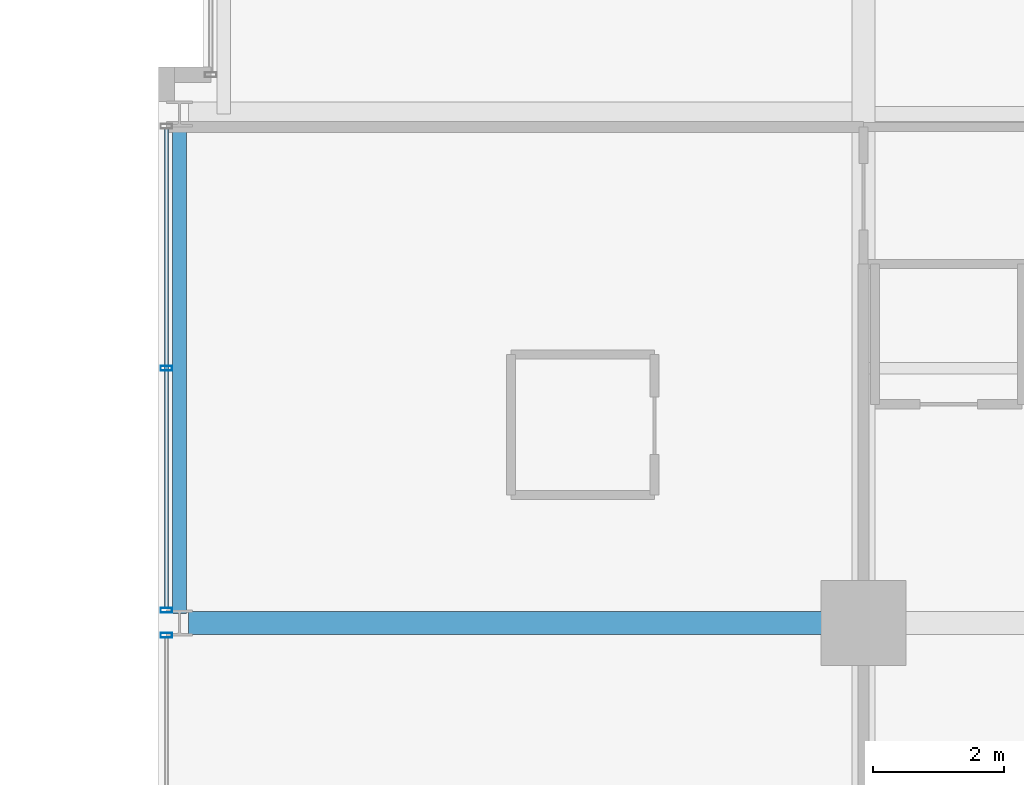
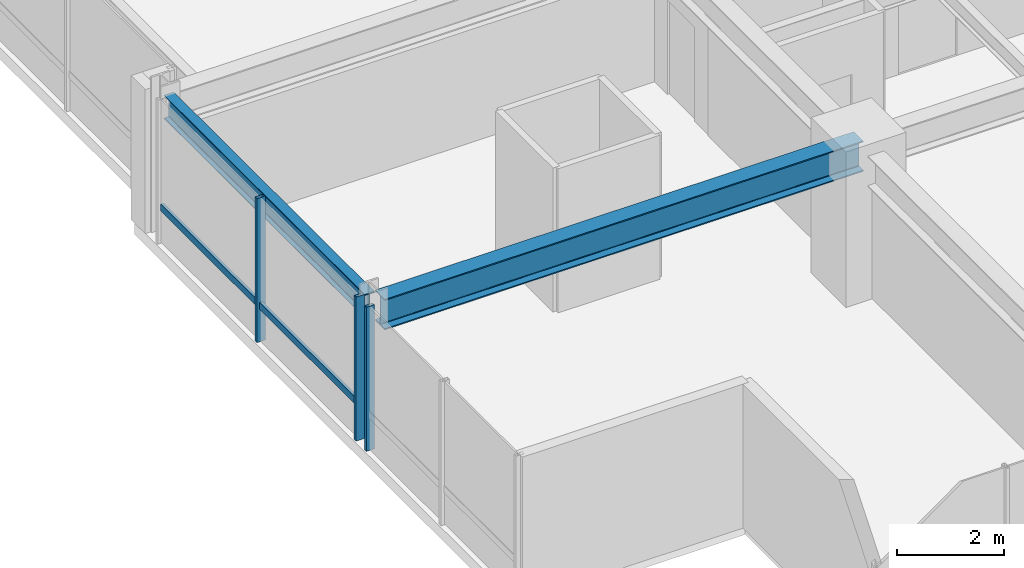
# One storey, part 4 of 31: 4 members, 2 beams, 2 elements without a shape of their own.
"""IFC4 building model written with IfcOpenShell, lengths in metres."""

from ifc_helpers import new_model, si_unit, direction, frame, origin, origin_2d, place, context, subcontext, project, spatial, hollow_rectangle, i_section, extrude, material, layer, layer_set, material_profile, profile_set, type_object, element, aggregate, save


model = new_model("IFC4")

# Units and contexts
model_context = context("Model", 3, precision=1e-05, world=origin(), true_north=direction((0.0, 1.0)))
body_context = subcontext(model_context, "Body", "Model", "MODEL_VIEW")
ifc_project = project(units=[si_unit("LENGTHUNIT", "METRE"), si_unit("AREAUNIT", "SQUARE_METRE"), si_unit("VOLUMEUNIT", "CUBIC_METRE"), si_unit("PLANEANGLEUNIT", "RADIAN"), si_unit("MASSUNIT", "GRAM", prefix="KILO")], contexts=[model_context])

# Site, building, storey
site_placement = place(None, origin())
site = spatial("IfcSite", under=ifc_project, at=site_placement, CompositionType="ELEMENT")
building_placement = place(site_placement, origin())
building = spatial("IfcBuilding", under=site, at=building_placement, Name="Drelvath Grand Hotel", CompositionType="ELEMENT")
storey_placement = place(building_placement, frame((0.0, 0.0, 185.89990234375)))
storey = spatial("IfcBuildingStorey", under=building, at=storey_placement, Name="L48", CompositionType="ELEMENT", Elevation=185.89990234375)

# Curtain wall, member
ifc_material_1 = material(Name="Brushed Pale-Silver Anodised Aluminium Frame", Category="aluminium")
ifc_layer = layer(ifc_material_1, 0.199951171875)
ifc_layer_set = layer_set([ifc_layer], Name="Brushed Pale-Silver Anodised Aluminium Frame")
curtain_wall_type = type_object("IfcCurtainWallType", Name="Stick Curtain Wall CW-04 Brushed Silver Upper-Mid", PredefinedType="NOTDEFINED", material=ifc_layer_set)
curtain_wall_1_placement = place(storey_placement, origin())
curtain_wall_1 = element("IfcCurtainWall", 1, at=curtain_wall_1_placement, inside=storey, type_object=curtain_wall_type, Name="L48 CW-04 Curtain Wall CW04-L48-WS2", PredefinedType="NOTDEFINED")
ifc_material_profile_1 = material_profile(ifc_material_1, hollow_rectangle(XDim=0.06494140625, YDim=0.159912109375, WallThickness=0.00390625, at=origin_2d()), Name="HSS160X65X4")
ifc_profile_set_1 = profile_set([ifc_material_profile_1], Name="Brushed Pale-Silver Anodised Aluminium Frame")
member_type_1 = type_object("IfcMemberType", Name="Curtain Wall Horizontal Transom CW-04 HSS160X65X4", PredefinedType="USERDEFINED", material=ifc_profile_set_1)
member_1_placement = place(storey_placement, frame((-26.8798828125, 11.03173828125, 0.822509765625), z_axis=(0.0, 1.0, 0.0), x_axis=(-1.0, 0.0, 0.0)))
member_1 = element("IfcMember", 2, at=member_1_placement, type_object=member_type_1, Name="CW04-L48-WS2 Sill Transom", ObjectType="TRANSOM", PredefinedType="USERDEFINED", context=body_context, shape_type="SweptSolid", body=[
    extrude(hollow_rectangle(XDim=0.06494140625, YDim=0.159912109375, WallThickness=0.00390625, at=origin_2d()), origin(), (0.0, 0.0, 1.0), 7.336669921875),
])

curtain_wall_2_placement = place(storey_placement, origin())
curtain_wall_2 = element("IfcCurtainWall", 3, at=curtain_wall_2_placement, inside=storey, type_object=curtain_wall_type, Name="L48 CW-04 Curtain Wall CW04-L48-WS1", PredefinedType="NOTDEFINED")
ifc_material_profile_2 = material_profile(ifc_material_1, hollow_rectangle(XDim=0.074951171875, YDim=0.179931640625, WallThickness=0.0048828125, at=origin_2d()), Name="HSS180X75X5")
ifc_profile_set_2 = profile_set([ifc_material_profile_2], Name="Brushed Pale-Silver Anodised Aluminium Frame")
member_type_2 = type_object("IfcMemberType", Name="Curtain Wall Vertical Mullion CW-04 HSS180X75X5", PredefinedType="MULLION", material=ifc_profile_set_2)
member_2_placement = place(storey_placement, frame((-26.8798828125, 10.6083984375, 0.0), z_axis=(0.0, 0.0, 1.0), x_axis=(0.0, 1.0, 0.0)))
member_2 = element("IfcMember", 4, at=member_2_placement, type_object=member_type_2, Name="CW04-L48-WS1 Mullion 3", PredefinedType="MULLION", context=body_context, shape_type="SweptSolid", body=[
    extrude(hollow_rectangle(XDim=0.074951171875, YDim=0.179931640625, WallThickness=0.0048828125, at=origin_2d()), origin(), (0.0, 0.0, 1.0), 3.2900390625),
])
aggregate(curtain_wall_2, [member_2])

# Member
member_3_placement = place(storey_placement, frame((-26.8798828125, 10.99169921875, 0.0), z_axis=(0.0, 0.0, 1.0), x_axis=(0.0, 1.0, 0.0)))
member_3 = element("IfcMember", 5, at=member_3_placement, type_object=member_type_2, Name="CW04-L48-WS2 Mullion 1", PredefinedType="MULLION", context=body_context, shape_type="SweptSolid", body=[
    extrude(hollow_rectangle(XDim=0.074951171875, YDim=0.179931640625, WallThickness=0.0048828125, at=origin_2d()), origin(), (0.0, 0.0, 1.0), 3.2900390625),
])

member_4_placement = place(storey_placement, frame((-26.8798828125, 14.7001953125, 0.0), z_axis=(0.0, 0.0, 1.0), x_axis=(0.0, 1.0, 0.0)))
member_4 = element("IfcMember", 6, at=member_4_placement, type_object=member_type_2, Name="CW04-L48-WS2 Mullion 2", PredefinedType="MULLION", context=body_context, shape_type="SweptSolid", body=[
    extrude(hollow_rectangle(XDim=0.074951171875, YDim=0.179931640625, WallThickness=0.0048828125, at=origin_2d()), origin(), (0.0, 0.0, 1.0), 3.2900390625),
])

aggregate(curtain_wall_1, [member_3, member_4, member_1])

# Beams
ifc_material_2 = material(Name="Steel ASTM A992 Gr 50", Category="steel")
ifc_material_profile_3 = material_profile(ifc_material_2, i_section(OverallWidth=0.210205078125, OverallDepth=0.53662109375, WebThickness=0.010986328125, FlangeThickness=0.017333984375, FilletRadius=0.01806640625, at=origin_2d()), Name="W21X68")
ifc_profile_set_3 = profile_set([ifc_material_profile_3], Name="Steel ASTM A992 Gr 50")
beam_type_1 = type_object("IfcBeamType", Name="Perimeter Spandrel Beam W21X68", PredefinedType="SPANDREL", material=ifc_profile_set_3)
beam_1_placement = place(storey_placement, frame((-26.679931640625, 10.93994140625, 3.021728515625), z_axis=(0.0, 1.0, 0.0), x_axis=(-1.0, 0.0, 0.0)))
element("IfcBeam", 7, at=beam_1_placement, inside=storey, type_object=beam_type_1, Name="L48 Spandrel West S", PredefinedType="SPANDREL", context=body_context, shape_type="SweptSolid", body=[
    extrude(i_section(OverallWidth=0.210205078125, OverallDepth=0.53662109375, WebThickness=0.010986328125, FlangeThickness=0.017333984375, FilletRadius=0.01806640625, at=origin_2d()), origin(), (0.0, 0.0, 1.0), 7.52001953125),
])
ifc_material_profile_4 = material_profile(ifc_material_2, i_section(OverallWidth=0.354736328125, OverallDepth=0.695556640625, WebThickness=0.015380859375, FlangeThickness=0.025146484375, FilletRadius=0.02392578125, at=origin_2d()), Name="W27X146")
ifc_profile_set_4 = profile_set([ifc_material_profile_4], Name="Steel ASTM A992 Gr 50")
beam_type_2 = type_object("IfcBeamType", Name="Primary Floor Girder W27X146", PredefinedType="BEAM", material=ifc_profile_set_4)
beam_2_placement = place(storey_placement, frame((-26.5400390625, 10.800048828125, 2.9423828125), z_axis=(1.0, 0.0, 0.0), x_axis=(0.0, 1.0, 0.0)))
element("IfcBeam", 8, at=beam_2_placement, inside=storey, type_object=beam_type_2, Name="L48 West Grid Girder C", PredefinedType="BEAM", context=body_context, shape_type="SweptSolid", body=[
    extrude(i_section(OverallWidth=0.354736328125, OverallDepth=0.695556640625, WebThickness=0.015380859375, FlangeThickness=0.025146484375, FilletRadius=0.02392578125, at=origin_2d()), origin(), (0.0, 0.0, 1.0), 10.340087890625),
])

save(model, "model.ifc")
